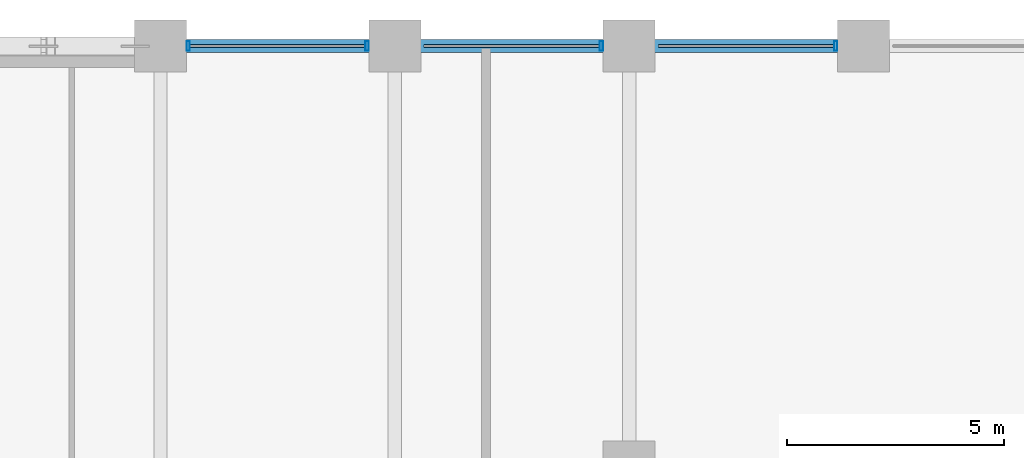
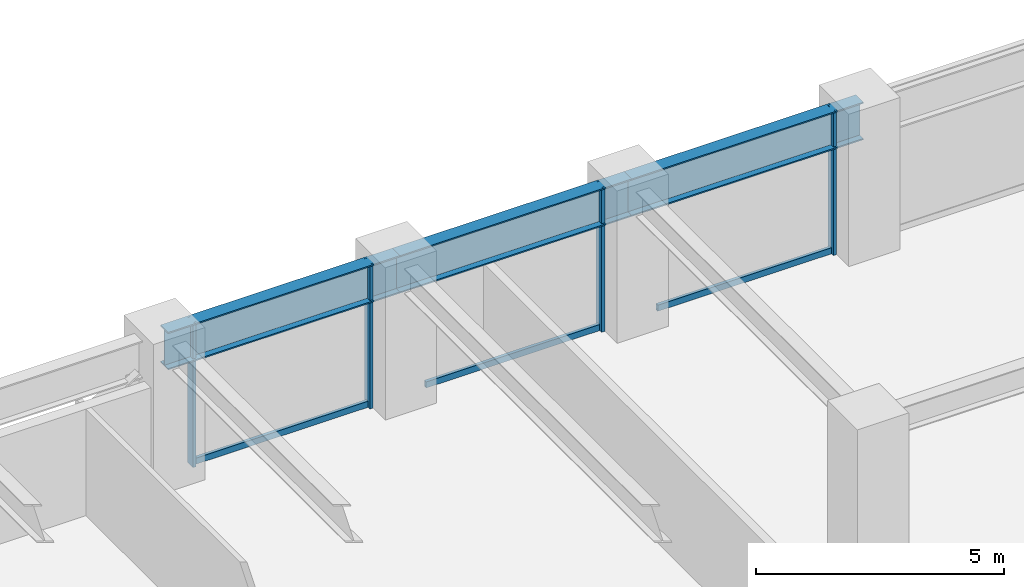
# One storey, part 15 of 28: 7 members, 3 beams, 1 element without a shape of its own.
"""IFC4 building model written with IfcOpenShell, lengths in metres."""

from ifc_helpers import new_model, si_unit, direction, frame, origin, origin_2d, place, context, subcontext, project, spatial, hollow_rectangle, i_section, extrude, material, layer, layer_set, material_profile, profile_set, type_object, element, aggregate, save


model = new_model("IFC4")

# Units and contexts
model_context = context("Model", 3, precision=1e-05, world=origin(), true_north=direction((0.0, 1.0)))
body_context = subcontext(model_context, "Body", "Model", "MODEL_VIEW")
ifc_project = project(units=[si_unit("LENGTHUNIT", "METRE"), si_unit("AREAUNIT", "SQUARE_METRE"), si_unit("VOLUMEUNIT", "CUBIC_METRE"), si_unit("PLANEANGLEUNIT", "RADIAN"), si_unit("MASSUNIT", "GRAM", prefix="KILO")], contexts=[model_context])

# Site, building, storey
site_placement = place(None, origin())
site = spatial("IfcSite", under=ifc_project, at=site_placement, CompositionType="ELEMENT")
building_placement = place(site_placement, origin())
building = spatial("IfcBuilding", under=site, at=building_placement, Name="Surkhivell Harbour Commons", CompositionType="ELEMENT")
storey_placement = place(building_placement, frame((0.0, 0.0, 67.5)))
storey = spatial("IfcBuildingStorey", under=building, at=storey_placement, Name="L17", CompositionType="ELEMENT", Elevation=67.5)

# Beams
ifc_material_1 = material(Name="Steel S460", Category="steel")
ifc_material_profile_1 = material_profile(ifc_material_1, i_section(OverallWidth=0.30810546875, OverallDepth=0.927001953125, WebThickness=0.01953125, FlangeThickness=0.031982421875, at=origin_2d()), Name="UB914x305x289")
ifc_profile_set_1 = profile_set([ifc_material_profile_1], Name="Steel S460")
beam_type = type_object("IfcBeamType", Name="BM-SPN-914B", PredefinedType="SPANDREL", material=ifc_profile_set_1)
beam_1_placement = place(storey_placement, frame((5.39990234375, 25.89990234375, 3.1064453125), z_axis=(1.0, 0.0, 0.0), x_axis=(0.0, 1.0, 0.0)))
element("IfcBeam", 1, at=beam_1_placement, inside=storey, type_object=beam_type, Name="L17 Tube Spandrel (5.4,25.9)", PredefinedType="SPANDREL", context=body_context, shape_type="SweptSolid", body=[
    extrude(i_section(OverallWidth=0.30810546875, OverallDepth=0.927001953125, WebThickness=0.01953125, FlangeThickness=0.031982421875, at=origin_2d()), origin(), (0.0, 0.0, 1.0), 5.400146484375),
])
beam_2_placement = place(storey_placement, frame((10.800048828125, 25.89990234375, 3.1064453125), z_axis=(1.0, 0.0, 0.0), x_axis=(0.0, 1.0, 0.0)))
element("IfcBeam", 2, at=beam_2_placement, inside=storey, type_object=beam_type, Name="L17 Tube Spandrel (10.8,25.9)", PredefinedType="SPANDREL", context=body_context, shape_type="SweptSolid", body=[
    extrude(i_section(OverallWidth=0.30810546875, OverallDepth=0.927001953125, WebThickness=0.01953125, FlangeThickness=0.031982421875, at=origin_2d()), origin(), (0.0, 0.0, 1.0), 5.39990234375),
])
beam_3_placement = place(storey_placement, frame((16.199951171875, 25.89990234375, 3.1064453125), z_axis=(1.0, 0.0, 0.0), x_axis=(0.0, 1.0, 0.0)))
element("IfcBeam", 3, at=beam_3_placement, inside=storey, type_object=beam_type, Name="L17 Tube Spandrel (16.2,25.9)", PredefinedType="SPANDREL", context=body_context, shape_type="SweptSolid", body=[
    extrude(i_section(OverallWidth=0.30810546875, OverallDepth=0.927001953125, WebThickness=0.01953125, FlangeThickness=0.031982421875, at=origin_2d()), origin(), (0.0, 0.0, 1.0), 5.400146484375),
])

# Curtain wall, members
ifc_material_2 = material(Name="Anodised pale-metal aluminium and insulated glazing", Category="aluminium")
ifc_layer = layer(ifc_material_2, 0.219970703125)
ifc_layer_set = layer_set([ifc_layer], Name="Anodised pale-metal aluminium and insulated glazing")
curtain_wall_type = type_object("IfcCurtainWallType", Name="CW-SYS-Z1", PredefinedType="NOTDEFINED", material=ifc_layer_set)
curtain_wall_placement = place(storey_placement, origin())
curtain_wall = element("IfcCurtainWall", 4, at=curtain_wall_placement, inside=storey, type_object=curtain_wall_type, Name="L17 Curtain Wall CW-L17-E07S1", PredefinedType="NOTDEFINED")
ifc_material_3 = material(Name="Anodised pale-metal aluminium alloy 6063-T6", Category="aluminium")
ifc_material_profile_2 = material_profile(ifc_material_3, hollow_rectangle(XDim=0.074951171875, YDim=0.219970703125, WallThickness=0.00390625, at=origin_2d()), Name="ALU-MULL-75x220")
ifc_profile_set_2 = profile_set([ifc_material_profile_2], Name="Anodised pale-metal aluminium alloy 6063-T6")
member_type_1 = type_object("IfcMemberType", Name="CWM-220", PredefinedType="MULLION", material=ifc_profile_set_2)
member_1_placement = place(storey_placement, frame((20.96044921875, 25.89990234375, 0.0), z_axis=(0.0, 0.0, 1.0), x_axis=(-1.0, 0.0, 0.0)))
member_1 = element("IfcMember", 5, at=member_1_placement, type_object=member_type_1, Name="CW-Z1 mullion 2", PredefinedType="MULLION", context=body_context, shape_type="SweptSolid", body=[
    extrude(hollow_rectangle(XDim=0.074951171875, YDim=0.219970703125, WallThickness=0.00390625, at=origin_2d()), origin(), (0.0, 0.0, 1.0), 3.570068359375),
])
member_2_placement = place(storey_placement, frame((15.560546875, 25.89990234375, 0.0), z_axis=(0.0, 0.0, 1.0), x_axis=(-1.0, 0.0, 0.0)))
member_2 = element("IfcMember", 6, at=member_2_placement, type_object=member_type_1, Name="CW-Z1 mullion 3", PredefinedType="MULLION", context=body_context, shape_type="SweptSolid", body=[
    extrude(hollow_rectangle(XDim=0.074951171875, YDim=0.219970703125, WallThickness=0.00390625, at=origin_2d()), origin(), (0.0, 0.0, 1.0), 3.570068359375),
])
member_3_placement = place(storey_placement, frame((10.160400390625, 25.89990234375, 0.0), z_axis=(0.0, 0.0, 1.0), x_axis=(-1.0, 0.0, 0.0)))
member_3 = element("IfcMember", 7, at=member_3_placement, type_object=member_type_1, Name="CW-Z1 mullion 4", PredefinedType="MULLION", context=body_context, shape_type="SweptSolid", body=[
    extrude(hollow_rectangle(XDim=0.074951171875, YDim=0.219970703125, WallThickness=0.00390625, at=origin_2d()), origin(), (0.0, 0.0, 1.0), 3.570068359375),
])
member_4_placement = place(storey_placement, frame((6.03955078125, 25.89990234375, 0.0), z_axis=(0.0, 0.0, 1.0), x_axis=(-1.0, 0.0, 0.0)))
member_4 = element("IfcMember", 8, at=member_4_placement, type_object=member_type_1, Name="CW-Z1 mullion 5", PredefinedType="MULLION", context=body_context, shape_type="SweptSolid", body=[
    extrude(hollow_rectangle(XDim=0.074951171875, YDim=0.219970703125, WallThickness=0.00390625, at=origin_2d()), origin(), (0.0, 0.0, 1.0), 3.570068359375),
])
ifc_material_profile_3 = material_profile(ifc_material_3, hollow_rectangle(XDim=0.074951171875, YDim=0.14990234375, WallThickness=0.00341796875, at=origin_2d()), Name="ALU-TRAN-75x150")
ifc_profile_set_3 = profile_set([ifc_material_profile_3], Name="Anodised pale-metal aluminium alloy 6063-T6")
member_type_2 = type_object("IfcMemberType", Name="CWT-150", PredefinedType="USERDEFINED", material=ifc_profile_set_3)
member_5_placement = place(storey_placement, frame((20.923095703125, 25.89990234375, 0.074951171875), z_axis=(-1.0, 0.0, 0.0), x_axis=(0.0, -1.0, 0.0)))
member_5 = element("IfcMember", 9, at=member_5_placement, type_object=member_type_2, Name="CW-Z1 transom 2.1", ObjectType="TRANSOM", PredefinedType="USERDEFINED", context=body_context, shape_type="SweptSolid", body=[
    extrude(hollow_rectangle(XDim=0.074951171875, YDim=0.14990234375, WallThickness=0.00341796875, at=origin_2d()), origin(), (0.0, 0.0, 1.0), 4.046142578125),
])
member_6_placement = place(storey_placement, frame((15.52294921875, 25.89990234375, 0.074951171875), z_axis=(-1.0, 0.0, 0.0), x_axis=(0.0, -1.0, 0.0)))
member_6 = element("IfcMember", 10, at=member_6_placement, type_object=member_type_2, Name="CW-Z1 transom 3.1", ObjectType="TRANSOM", PredefinedType="USERDEFINED", context=body_context, shape_type="SweptSolid", body=[
    extrude(hollow_rectangle(XDim=0.074951171875, YDim=0.14990234375, WallThickness=0.00341796875, at=origin_2d()), origin(), (0.0, 0.0, 1.0), 4.0458984375),
])
member_7_placement = place(storey_placement, frame((10.123046875, 25.89990234375, 0.074951171875), z_axis=(-1.0, 0.0, 0.0), x_axis=(0.0, -1.0, 0.0)))
member_7 = element("IfcMember", 11, at=member_7_placement, type_object=member_type_2, Name="CW-Z1 transom 4.1", ObjectType="TRANSOM", PredefinedType="USERDEFINED", context=body_context, shape_type="SweptSolid", body=[
    extrude(hollow_rectangle(XDim=0.074951171875, YDim=0.14990234375, WallThickness=0.00341796875, at=origin_2d()), origin(), (0.0, 0.0, 1.0), 4.046142578125),
])
aggregate(curtain_wall, [member_1, member_5, member_2, member_6, member_3, member_4, member_7])

save(model, "model.ifc")
